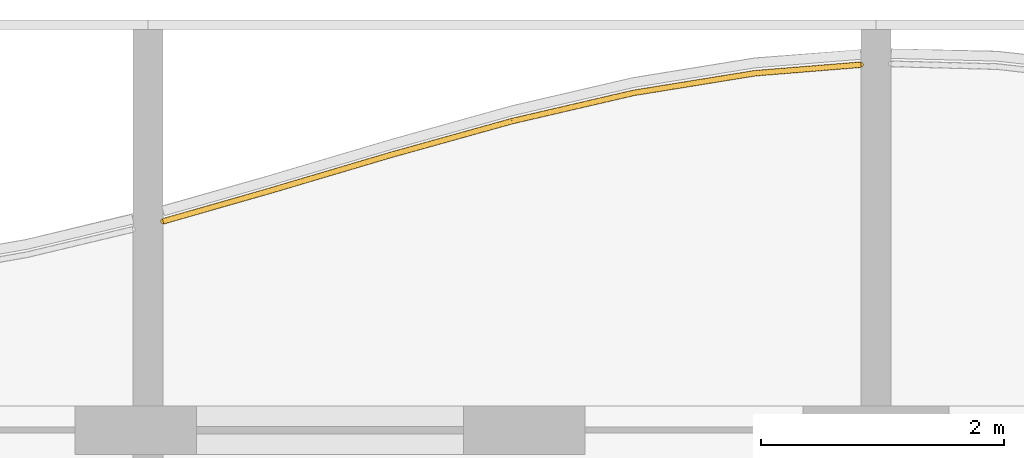
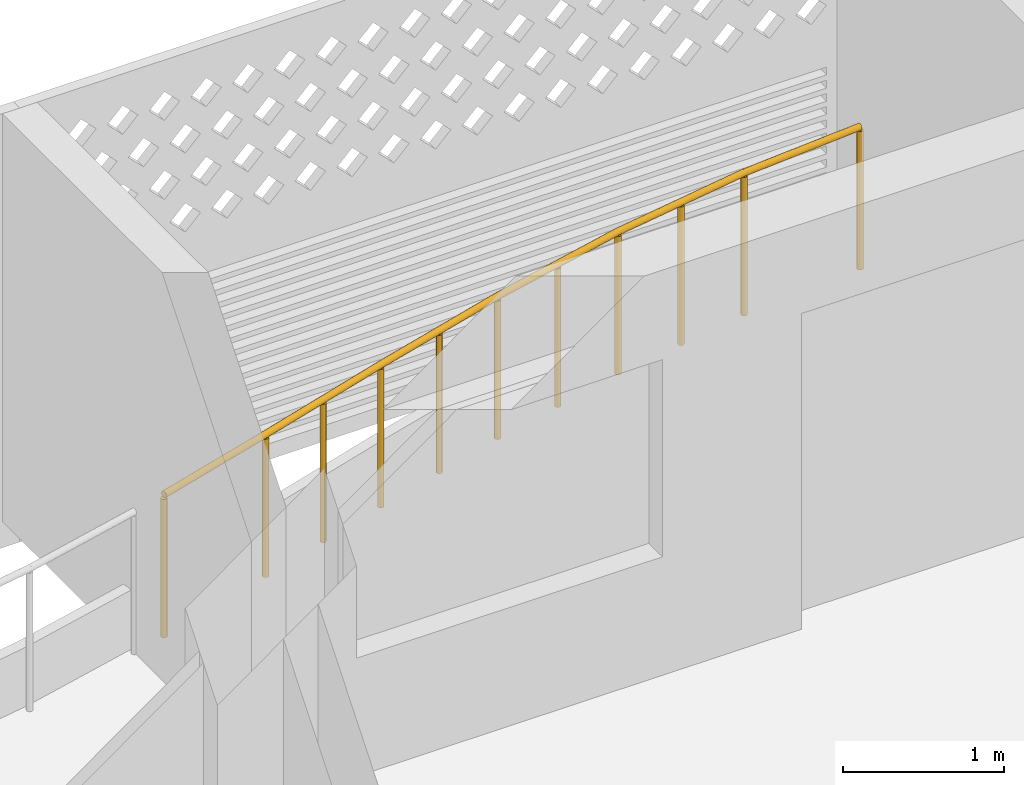
# One storey, part 18 of 27: 1 railing.
"""IFC4 building model written with IfcOpenShell, lengths in metres."""

import ifcopenshell
import ifcopenshell.guid

model = None  # the IFC model being written
_history = None  # IfcOwnerHistory: only IFC2X3 demands one
_inside = {}  # id of a spatial element -> (the spatial element, [elements in it])
_under = {}  # id of a project, library or spatial element -> (it, [spatial elements below it])
_declared = {}  # id of a project -> (the project, [libraries it declares])
_typed = {}  # id of a type object -> (the type object, [elements of that type])
_made_of = {}  # id of a material, layer set ... -> (it, [elements and type objects made of it])


def new_model(schema):
    """Start an empty IFC model of exactly this schema.

    Asked for "IFC4X3", IfcOpenShell would pick the latest addendum, in which some entities
    have other attributes; the version numbers below select the first issue.
    IFC2X3 requires an IfcOwnerHistory on every rooted entity: one is made here for all.
    """
    global model, _history
    if schema == "IFC4X3":
        model = ifcopenshell.file(schema_version=(4, 3, 0, 0))
    else:
        model = ifcopenshell.file(schema=schema)
    _inside.clear()
    _under.clear()
    _declared.clear()
    _typed.clear()
    _made_of.clear()
    _history = None
    if model.schema == "IFC2X3":
        org = make("IfcOrganization", Name="unknown")
        user = make(
            "IfcPersonAndOrganization",
            ThePerson=make("IfcPerson", FamilyName="unknown"),
            TheOrganization=org,
        )
        app = make(
            "IfcApplication",
            ApplicationDeveloper=org,
            Version="unknown",
            ApplicationFullName="unknown",
            ApplicationIdentifier="unknown",
        )
        _history = make(
            "IfcOwnerHistory",
            OwningUser=user,
            OwningApplication=app,
            ChangeAction="ADDED",
            CreationDate=0,
        )
    return model


def make(cls, **values):
    """One entity of the class cls with the attributes given. An attribute that is None is left unset."""
    return model.create_entity(
        cls, **{name: value for name, value in values.items() if value is not None}
    )


def rooted(cls, **values):
    """An entity with a GlobalId (a new one), such as an element, a storey or a relation."""
    return make(cls, GlobalId=ifcopenshell.guid.new(), OwnerHistory=_history, **values)


def si_unit(unit_type, name, prefix=None):
    """IfcSIUnit, for example si_unit("LENGTHUNIT", "METRE", prefix="MILLI")."""
    return make("IfcSIUnit", UnitType=unit_type, Prefix=prefix, Name=name)


def assignment(units):
    """IfcUnitAssignment: the units of a project."""
    return None if units is None else make("IfcUnitAssignment", Units=units)


def point(xyz):
    """IfcCartesianPoint."""
    return None if xyz is None else make("IfcCartesianPoint", Coordinates=xyz)


def direction(xyz):
    """IfcDirection."""
    return None if xyz is None else make("IfcDirection", DirectionRatios=xyz)


def frame(location, z_axis=None, x_axis=None):
    """IfcAxis2Placement3D, a coordinate frame: its origin and axes. An axis left out is left unset."""
    return make(
        "IfcAxis2Placement3D",
        Location=point(location),
        Axis=direction(z_axis),
        RefDirection=direction(x_axis),
    )


def frame_2d(location, x_axis=None):
    """IfcAxis2Placement2D, a coordinate frame in the plane: its origin and x axis."""
    return make(
        "IfcAxis2Placement2D", Location=point(location), RefDirection=direction(x_axis)
    )


def origin():
    """The frame at (0, 0, 0) with its axes left unset."""
    return frame((0.0, 0.0, 0.0))


def origin_2d():
    """The frame at (0, 0) in the plane with its x axis left unset."""
    return frame_2d((0.0, 0.0))


def place(relative_to, where):
    """IfcLocalPlacement: puts the frame where relative to a parent placement (None: the world)."""
    return make(
        "IfcLocalPlacement", PlacementRelTo=relative_to, RelativePlacement=where
    )


def context(
    kind, dimensions, precision=None, world=None, true_north=None, identifier=None
):
    """IfcGeometricRepresentationContext, for example the 3D "Model" context."""
    return make(
        "IfcGeometricRepresentationContext",
        ContextIdentifier=identifier,
        ContextType=kind,
        CoordinateSpaceDimension=dimensions,
        Precision=precision,
        WorldCoordinateSystem=world,
        TrueNorth=true_north,
    )


def subcontext(parent, identifier, kind, view, scale=None):
    """IfcGeometricRepresentationSubContext, for example "Body" below "Model"."""
    return make(
        "IfcGeometricRepresentationSubContext",
        ContextIdentifier=identifier,
        ContextType=kind,
        ParentContext=parent,
        TargetScale=scale,
        TargetView=view,
    )


def project(units=None, contexts=None):
    """IfcProject with its units and contexts."""
    return rooted(
        "IfcProject",
        Name="project",
        RepresentationContexts=contexts,
        UnitsInContext=assignment(units),
    )


def spatial(cls, under=None, at=None, **own):
    """A site, building, storey or space (cls), placed at a placement, below another one or the project."""
    s = rooted(cls, ObjectPlacement=at, **own)
    if under is not None:
        _under.setdefault(under.id(), (under, []))[1].append(s)
    return s


def profile(cls, at=None, kind="AREA", **sizes):
    """A parametric profile (cls). Its sizes go by their IFC names, for example OverallWidth=200.0."""
    return make(cls, ProfileType=kind, Position=at, **sizes)


def circle(**sizes):
    """IfcCircleProfileDef."""
    return profile("IfcCircleProfileDef", **sizes)


def extrude(swept, where, along, depth):
    """IfcExtrudedAreaSolid: the profile swept, set in the frame where, extruded along a direction by depth."""
    return make(
        "IfcExtrudedAreaSolid",
        SweptArea=swept,
        Position=where,
        ExtrudedDirection=direction(along),
        Depth=depth,
    )


def shape(context_of_items, identifier, shape_type, items):
    """IfcShapeRepresentation: the items that make up one representation, for example the "Body"."""
    return make(
        "IfcShapeRepresentation",
        ContextOfItems=context_of_items,
        RepresentationIdentifier=identifier,
        RepresentationType=shape_type,
        Items=items,
    )


def material(Name=None, Category=None):
    """IfcMaterial."""
    return make("IfcMaterial", Name=Name, Category=Category)


def made_of(thing, what):
    """Note that an element or type object is made of a material, layer set ...; save() writes the relation."""
    if what is not None:
        _made_of.setdefault(what.id(), (what, []))[1].append(thing)
    return thing


def type_object(cls, material=None, **own):
    """A type object (cls), such as IfcWallType, which elements share."""
    return made_of(rooted(cls, **own), material)


def element(
    cls,
    number,
    at=None,
    inside=None,
    cuts=None,
    type_object=None,
    material=None,
    context=None,
    identifier="Body",
    shape_type=None,
    held_by="IfcProductDefinitionShape",
    body=None,
    shapes=None,
    **own,
):
    """One element of the class cls, such as IfcWall. Its Tag is "e" and its number.

    at: its placement. inside: the storey or other place that contains it. cuts: it is an
    opening in that element (IfcRelVoidsElement). A single representation is given by context,
    identifier, shape_type and body (its items); several are given by shapes. held_by: the class
    of the entity that holds the representations. save() writes the other relations.
    """
    e = rooted(cls, Tag="e%d" % number, ObjectPlacement=at, **own)
    if body is not None:
        shapes = [shape(context, identifier, shape_type, body)]
    if shapes is not None:
        e.Representation = make(held_by, Representations=shapes)
    if inside is not None:
        _inside.setdefault(inside.id(), (inside, []))[1].append(e)
    if cuts is not None:
        rooted(
            "IfcRelVoidsElement", RelatingBuildingElement=cuts, RelatedOpeningElement=e
        )
    if type_object is not None:
        _typed.setdefault(type_object.id(), (type_object, []))[1].append(e)
    return made_of(e, material)


def aggregate(whole, parts):
    """IfcRelAggregates: a whole, such as a stair, and the parts it consists of."""
    return rooted("IfcRelAggregates", RelatingObject=whole, RelatedObjects=parts)


def save(model, path):
    """Write the relations noted so far, then the file.

    IfcRelAggregates (storeys below a building ...), IfcRelContainedInSpatialStructure (elements
    in a storey), IfcRelDefinesByType, IfcRelAssociatesMaterial and IfcRelDeclares: one each for
    every whole, place, type object, material and project.
    """
    for whole, parts in _under.values():
        aggregate(whole, parts)
    for where, things in _inside.values():
        rooted(
            "IfcRelContainedInSpatialStructure",
            RelatedElements=things,
            RelatingStructure=where,
        )
    for kind, things in _typed.values():
        rooted("IfcRelDefinesByType", RelatedObjects=things, RelatingType=kind)
    for what, things in _made_of.values():
        rooted("IfcRelAssociatesMaterial", RelatedObjects=things, RelatingMaterial=what)
    for by, libraries in _declared.values():
        rooted("IfcRelDeclares", RelatingContext=by, RelatedDefinitions=libraries)
    model.write(path)


model = new_model("IFC4")

# Units and contexts
model_context = context("Model", 3, precision=1e-05, world=origin(), true_north=direction((0.0, 1.0)))
body_context = subcontext(model_context, "Body", "Model", "MODEL_VIEW")
ifc_project = project(units=[si_unit("LENGTHUNIT", "METRE"), si_unit("AREAUNIT", "SQUARE_METRE"), si_unit("VOLUMEUNIT", "CUBIC_METRE"), si_unit("PLANEANGLEUNIT", "RADIAN"), si_unit("MASSUNIT", "GRAM", prefix="KILO")], contexts=[model_context])

# Site, building, storey
site_placement = place(None, origin())
site = spatial("IfcSite", under=ifc_project, at=site_placement, CompositionType="ELEMENT")
building_placement = place(site_placement, origin())
building = spatial("IfcBuilding", under=site, at=building_placement, Name="Poui Terraces", CompositionType="ELEMENT")
storey_placement = place(building_placement, frame((0.0, 0.0, 204.89990234375)))
storey = spatial("IfcBuildingStorey", under=building, at=storey_placement, Name="L57", CompositionType="ELEMENT", Elevation=204.89990234375)

# Railing
ifc_material = material(Name="Painted steel fretwork", Category="steel")
railing_type = type_object("IfcRailingType", Name="BALCONY GUARD 1100", PredefinedType="GUARDRAIL", material=ifc_material)
railing_placement = place(storey_placement, frame((30.125, 42.9208984375, 0.0)))
element("IfcRailing", 1, at=railing_placement, inside=storey, type_object=railing_type, Name="BALCONY GUARD", PredefinedType="GUARDRAIL", context=body_context, shape_type="SweptSolid", body=[
    extrude(circle(Radius=0.02392578125, at=origin_2d()), frame((0.0, 0.0, 1.076171875), z_axis=(0.961453053843, 0.274969135097, 0.0), x_axis=(-0.274969135097, 0.961453053843, 0.0)), (0.0, 0.0, 1.0), 0.91015625),
    extrude(circle(Radius=0.02392578125, at=origin_2d()), frame((0.875, 0.250244140625, 1.076171875), z_axis=(0.958710700624, 0.284383179018, 0.0), x_axis=(-0.284383179018, 0.958710700624, 0.0)), (0.0, 0.0, 1.0), 1.04296875),
    extrude(circle(Radius=0.02392578125, at=origin_2d()), frame((1.875, 0.546875, 1.076171875), z_axis=(0.963261408291, 0.268565558659, 0.0), x_axis=(-0.268565558659, 0.963261408291, 0.0)), (0.0, 0.0, 1.0), 1.0380859375),
    extrude(circle(Radius=0.02392578125, at=origin_2d()), frame((2.875, 0.82568359375, 1.076171875), z_axis=(0.974037301865, 0.226387576019, 0.0), x_axis=(-0.226387576019, 0.974037301865, 0.0)), (0.0, 0.0, 1.0), 1.026611328125),
    extrude(circle(Radius=0.02392578125, at=origin_2d()), frame((3.875, 1.05810546875, 1.076171875), z_axis=(0.987113709708, 0.160020386535, 0.0), x_axis=(-0.160020386535, 0.987113709708, 0.0)), (0.0, 0.0, 1.0), 1.012939453125),
    extrude(circle(Radius=0.02392578125, at=origin_2d()), frame((4.875, 1.22021484375, 1.076171875), z_axis=(0.996764673802, 0.080375276431, 0.0), x_axis=(-0.080375276431, 0.996764673802, 0.0)), (0.0, 0.0, 1.0), 0.8779296875),
    extrude(circle(Radius=0.02099609375, at=origin_2d()), origin(), (0.0, 0.0, 1.0), 1.052001953125),
    extrude(circle(Radius=0.02099609375, at=origin_2d()), frame((0.875, 0.250244140625, 0.0)), (0.0, 0.0, 1.0), 1.052001953125),
    extrude(circle(Radius=0.02099609375, at=origin_2d()), frame((1.375, 0.3984375, 0.0)), (0.0, 0.0, 1.0), 1.052001953125),
    extrude(circle(Radius=0.02099609375, at=origin_2d()), frame((1.875, 0.546875, 0.0)), (0.0, 0.0, 1.0), 1.052001953125),
    extrude(circle(Radius=0.02099609375, at=origin_2d()), frame((2.375, 0.686279296875, 0.0)), (0.0, 0.0, 1.0), 1.052001953125),
    extrude(circle(Radius=0.02099609375, at=origin_2d()), frame((2.875, 0.82568359375, 0.0)), (0.0, 0.0, 1.0), 1.052001953125),
    extrude(circle(Radius=0.02099609375, at=origin_2d()), frame((3.375, 0.94189453125, 0.0)), (0.0, 0.0, 1.0), 1.052001953125),
    extrude(circle(Radius=0.02099609375, at=origin_2d()), frame((3.875, 1.05810546875, 0.0)), (0.0, 0.0, 1.0), 1.052001953125),
    extrude(circle(Radius=0.02099609375, at=origin_2d()), frame((4.375, 1.13916015625, 0.0)), (0.0, 0.0, 1.0), 1.052001953125),
    extrude(circle(Radius=0.02099609375, at=origin_2d()), frame((4.875, 1.22021484375, 0.0)), (0.0, 0.0, 1.0), 1.052001953125),
    extrude(circle(Radius=0.02099609375, at=origin_2d()), frame((5.75, 1.290771484375, 0.0)), (0.0, 0.0, 1.0), 1.052001953125),
])

save(model, "model.ifc")
